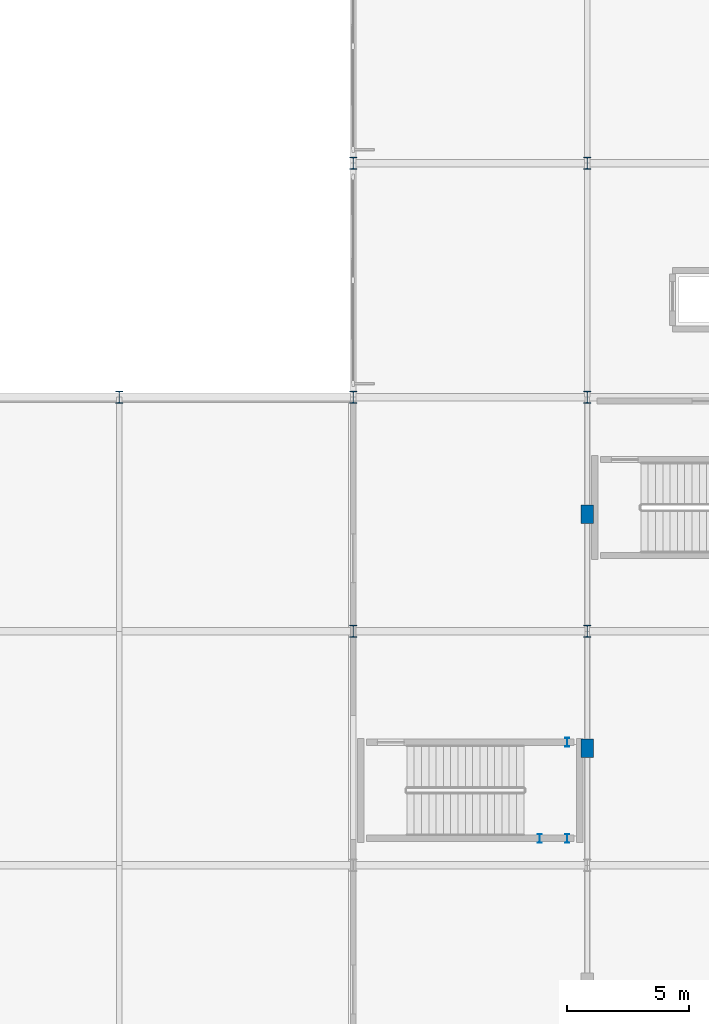
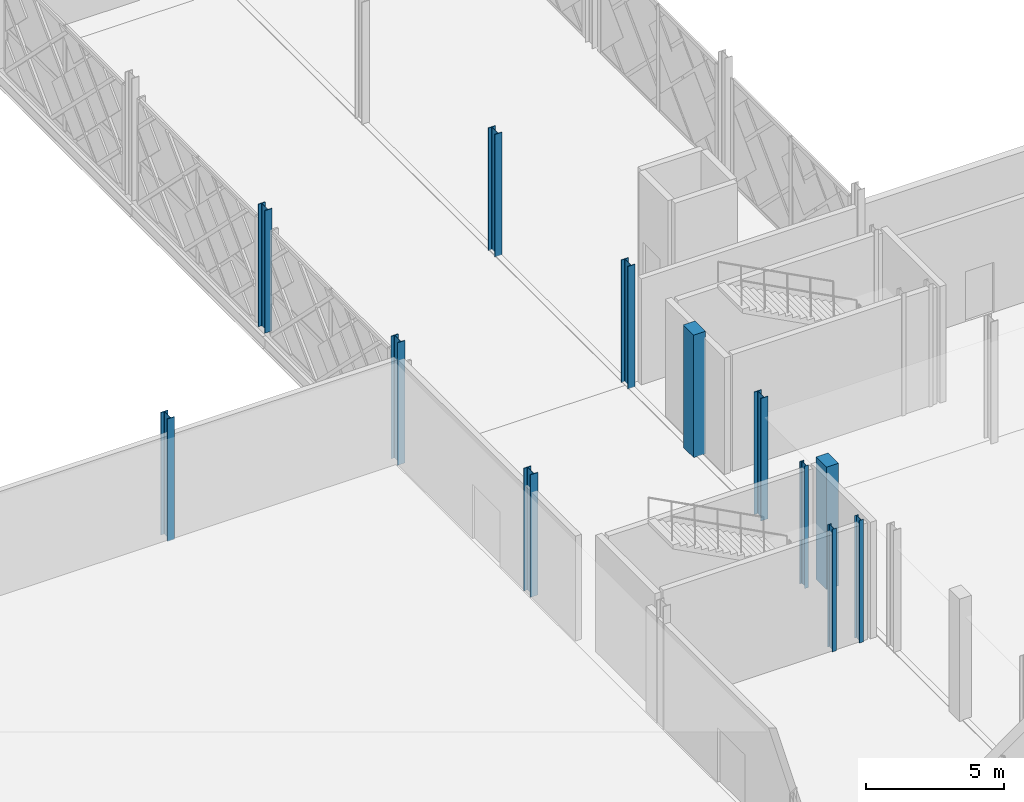
# One storey, part 4 of 84: 12 columns.
"""IFC4 building model written with IfcOpenShell, lengths in metres."""

from ifc_helpers import new_model, si_unit, direction, frame, origin, origin_2d, place, context, subcontext, project, spatial, rectangle, i_section, extrude, material, material_profile, profile_set, type_object, element, save


model = new_model("IFC4")

# Units and contexts
model_context = context("Model", 3, precision=1e-05, world=origin(), true_north=direction((0.0, 1.0)))
body_context = subcontext(model_context, "Body", "Model", "MODEL_VIEW")
ifc_project = project(units=[si_unit("LENGTHUNIT", "METRE"), si_unit("AREAUNIT", "SQUARE_METRE"), si_unit("VOLUMEUNIT", "CUBIC_METRE"), si_unit("PLANEANGLEUNIT", "RADIAN"), si_unit("MASSUNIT", "GRAM", prefix="KILO")], contexts=[model_context])

# Site, building, storey
site_placement = place(None, origin())
site = spatial("IfcSite", under=ifc_project, at=site_placement, CompositionType="ELEMENT")
building_placement = place(site_placement, origin())
building = spatial("IfcBuilding", under=site, at=building_placement, Name="Zevrakil Square Congress Hotel", CompositionType="ELEMENT")
storey_placement = place(building_placement, origin())
storey = spatial("IfcBuildingStorey", under=building, at=storey_placement, Name="L01", CompositionType="ELEMENT", Elevation=0.0)

# Columns
ifc_material_1 = material(Name="Steel S355", Category="steel")
ifc_material_profile_1 = material_profile(ifc_material_1, i_section(OverallWidth=0.300048828125, OverallDepth=0.5, WebThickness=0.014404296875, FlangeThickness=0.028076171875, FilletRadius=0.027099609375, at=origin_2d()), Name="HEB 500")
ifc_profile_set_1 = profile_set([ifc_material_profile_1], Name="Steel S355")
column_type_1 = type_object("IfcColumnType", Name="COL-HEB500", PredefinedType="COLUMN", material=ifc_profile_set_1)
for number, where, z_axis, x_axis, name in (
    (1, (36.0, 45.60009765625, 0.0), (0.0, 0.0, 1.0), (1.0, 0.0, 0.0), "L01 column C-058"),
    (2, (45.60009765625, 36.0, 0.0), (0.0, 0.0, 1.0), (1.0, 0.0, 0.0), "L01 column C-071"),
    (3, (45.60009765625, 45.60009765625, 0.0), (0.0, 0.0, 1.0), (1.0, 0.0, 0.0), "L01 column C-072"),
    (4, (45.60009765625, 55.199951171875, 0.0), (0.0, 0.0, 1.0), (1.0, 0.0, 0.0), "L01 column C-073"),
    (5, (55.199951171875, 36.0, 0.0), (0.0, 0.0, 1.0), (1.0, 0.0, 0.0), "L01 column C-088"),
    (6, (55.199951171875, 45.60009765625, 0.0), (0.0, 0.0, 1.0), (1.0, 0.0, 0.0), "L01 column C-090"),
    (7, (55.199951171875, 55.199951171875, 0.0), (0.0, 0.0, 1.0), (1.0, 0.0, 0.0), "L01 column C-091"),
):
    element("IfcColumn", number, at=place(storey_placement, frame(where, z_axis=z_axis, x_axis=x_axis)), inside=storey, type_object=column_type_1, Name=name, PredefinedType="COLUMN", context=body_context, shape_type="SweptSolid", body=[
        extrude(i_section(OverallWidth=0.300048828125, OverallDepth=0.5, WebThickness=0.014404296875, FlangeThickness=0.028076171875, FilletRadius=0.027099609375, at=origin_2d()), origin(), (0.0, 0.0, 1.0), 5.39990234375),
    ])
ifc_material_2 = material(Name="Concrete C40/50", Category="concrete")
ifc_material_profile_2 = material_profile(ifc_material_2, rectangle(XDim=0.5, YDim=0.75, at=origin_2d()), Name="RC 500x750")
ifc_profile_set_2 = profile_set([ifc_material_profile_2], Name="Concrete C40/50")
column_type_2 = type_object("IfcColumnType", Name="COL-PILASTER-RC500x750", PredefinedType="PILASTER", material=ifc_profile_set_2)
for number, where, z_axis, x_axis, name in (
    (8, (55.199951171875, 31.199951171875, 0.0), (0.0, 0.0, 1.0), (1.0, 0.0, 0.0), "L01 pilaster PL-03"),
    (9, (55.199951171875, 40.800048828125, 0.0), (0.0, 0.0, 1.0), (1.0, 0.0, 0.0), "L01 pilaster PL-04"),
):
    element("IfcColumn", number, at=place(storey_placement, frame(where, z_axis=z_axis, x_axis=x_axis)), inside=storey, type_object=column_type_2, Name=name, PredefinedType="PILASTER", context=body_context, shape_type="SweptSolid", body=[
        extrude(rectangle(XDim=0.5, YDim=0.75, at=origin_2d()), origin(), (0.0, 0.0, 1.0), 5.39990234375),
    ])
ifc_material_3 = material(Name="Steel S355", Category="steel")
ifc_material_profile_3 = material_profile(ifc_material_3, i_section(OverallWidth=0.169921875, OverallDepth=0.360107421875, WebThickness=0.008056640625, FlangeThickness=0.0126953125, FilletRadius=0.01806640625, at=origin_2d()), Name="IPE 360")
ifc_profile_set_3 = profile_set([ifc_material_profile_3], Name="Steel S355")
column_type_3 = type_object("IfcColumnType", Name="COL-PILASTER-SHS180", PredefinedType="PILASTER", material=ifc_profile_set_3)
for number, where, z_axis, x_axis, name in (
    (10, (53.25, 27.5, 0.0), (0.0, 0.0, 1.0), (1.0, 0.0, 0.0), "L01 ST13 stair shaft post 1"),
    (11, (54.3798828125, 27.5, 0.0), (0.0, 0.0, 1.0), (1.0, 0.0, 0.0), "L01 ST13 stair shaft post 2"),
    (12, (54.3798828125, 31.449951171875, 0.0), (0.0, 0.0, 1.0), (1.0, 0.0, 0.0), "L01 ST13 stair shaft post 3"),
):
    element("IfcColumn", number, at=place(storey_placement, frame(where, z_axis=z_axis, x_axis=x_axis)), inside=storey, type_object=column_type_3, Name=name, PredefinedType="PILASTER", context=body_context, shape_type="SweptSolid", body=[
        extrude(i_section(OverallWidth=0.169921875, OverallDepth=0.360107421875, WebThickness=0.008056640625, FlangeThickness=0.0126953125, FilletRadius=0.01806640625, at=origin_2d()), origin(), (0.0, 0.0, 1.0), 5.39990234375),
    ])

save(model, "model.ifc")
